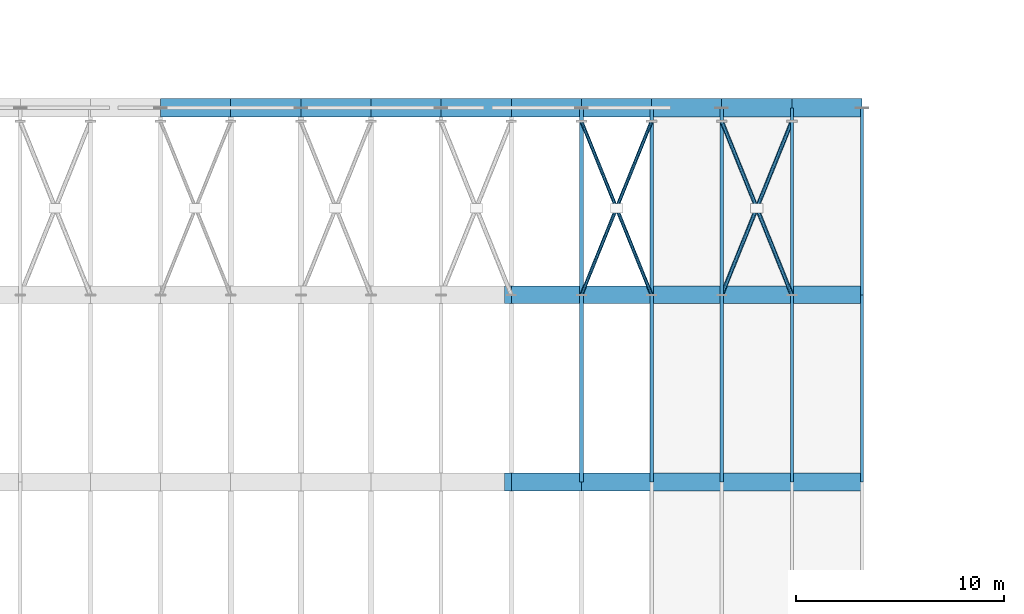
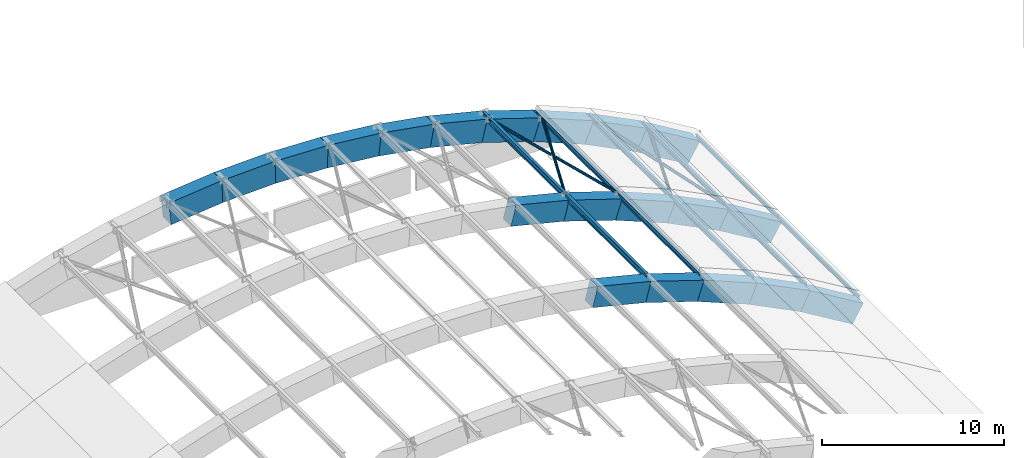
# One storey, part 9 of 30: 30 beams, 6 members.
"""IFC4 building model written with IfcOpenShell, lengths in metres."""

from ifc_helpers import new_model, si_unit, direction, frame, origin, origin_2d, place, context, subcontext, project, spatial, rectangle, hollow_circle, i_section, extrude, material, material_profile, profile_set, type_object, element, save


model = new_model("IFC4")

# Units and contexts
model_context = context("Model", 3, precision=1e-05, world=origin(), true_north=direction((0.0, 1.0)))
body_context = subcontext(model_context, "Body", "Model", "MODEL_VIEW")
ifc_project = project(units=[si_unit("LENGTHUNIT", "METRE"), si_unit("AREAUNIT", "SQUARE_METRE"), si_unit("VOLUMEUNIT", "CUBIC_METRE"), si_unit("PLANEANGLEUNIT", "RADIAN"), si_unit("MASSUNIT", "GRAM", prefix="KILO")], contexts=[model_context])

# Site, building, storey
site_placement = place(None, origin())
site = spatial("IfcSite", under=ifc_project, at=site_placement, CompositionType="ELEMENT")
building_placement = place(site_placement, origin())
building = spatial("IfcBuilding", under=site, at=building_placement, Name="Ornek Quay Market", CompositionType="ELEMENT")
storey_placement = place(building_placement, frame((0.0, 0.0, 12.0)))
storey = spatial("IfcBuildingStorey", under=building, at=storey_placement, Name="L03", CompositionType="ELEMENT", Elevation=12.0)

# Beams
ifc_material_1 = material(Name="Concrete C45/55", Category="concrete")
ifc_material_profile_1 = material_profile(ifc_material_1, rectangle(XDim=0.85009765625, YDim=1.35009765625, at=origin_2d()), Name="RC 850x1350", Category="concrete")
ifc_profile_set_1 = profile_set([ifc_material_profile_1], Name="Concrete C45/55")
beam_type_1 = type_object("IfcBeamType", Name="BM-ARCH-850x1350", PredefinedType="BEAM", material=ifc_profile_set_1)
beam_1_placement = place(storey_placement, frame((99.96240234375, 74.0, 3.388427734375), z_axis=(0.970537665456, 0.0, -0.240949455139), x_axis=(0.0, 1.0, 0.0)))
element("IfcBeam", 1, at=beam_1_placement, inside=storey, type_object=beam_type_1, Name="Arch rib chord J.12", PredefinedType="BEAM", context=body_context, shape_type="SweptSolid", body=[
    extrude(rectangle(XDim=0.85009765625, YDim=1.35009765625, at=origin_2d()), origin(), (0.0, 0.0, 1.0), 3.4775390625),
])
beam_2_placement = place(storey_placement, frame((103.291015625, 74.0, 2.563720703125), z_axis=(0.950807373928, 0.0, -0.309782726575), x_axis=(0.0, 1.0, 0.0)))
element("IfcBeam", 2, at=beam_2_placement, inside=storey, type_object=beam_type_1, Name="Arch rib chord J.13", PredefinedType="BEAM", context=body_context, shape_type="SweptSolid", body=[
    extrude(rectangle(XDim=0.85009765625, YDim=1.35009765625, at=origin_2d()), origin(), (0.0, 0.0, 1.0), 3.549560546875),
])
beam_3_placement = place(storey_placement, frame((106.619384765625, 74.0, 1.481201171875), z_axis=(0.925506425872, 0.0, -0.378731904742), x_axis=(0.0, 1.0, 0.0)))
element("IfcBeam", 3, at=beam_3_placement, inside=storey, type_object=beam_type_1, Name="Arch rib chord J.14", PredefinedType="BEAM", context=body_context, shape_type="SweptSolid", body=[
    extrude(rectangle(XDim=0.85009765625, YDim=1.35009765625, at=origin_2d()), origin(), (0.0, 0.0, 1.0), 3.646728515625),
])
beam_4_placement = place(storey_placement, frame((109.947998046875, 74.0, 0.12109375), z_axis=(0.894245991428, 0.0, -0.447575811248), x_axis=(0.0, 1.0, 0.0)))
element("IfcBeam", 4, at=beam_4_placement, inside=storey, type_object=beam_type_1, Name="Arch rib chord J.15", PredefinedType="BEAM", context=body_context, shape_type="SweptSolid", body=[
    extrude(rectangle(XDim=0.85009765625, YDim=1.35009765625, at=origin_2d()), origin(), (0.0, 0.0, 1.0), 3.774169921875),
])
beam_5_placement = place(storey_placement, frame((113.2763671875, 74.0, -1.54248046875), z_axis=(0.856326530364, 0.0, -0.516434771675), x_axis=(0.0, 1.0, 0.0)))
element("IfcBeam", 5, at=beam_5_placement, inside=storey, type_object=beam_type_1, Name="Arch rib chord J.16", PredefinedType="BEAM", context=body_context, shape_type="SweptSolid", body=[
    extrude(rectangle(XDim=0.85009765625, YDim=1.35009765625, at=origin_2d()), origin(), (0.0, 0.0, 1.0), 3.941162109375),
])
beam_6_placement = place(storey_placement, frame((99.96240234375, 83.0, 3.388427734375), z_axis=(0.970537665456, 0.0, -0.240949455139), x_axis=(0.0, 1.0, 0.0)))
element("IfcBeam", 6, at=beam_6_placement, inside=storey, type_object=beam_type_1, Name="Arch rib chord K.12", PredefinedType="BEAM", context=body_context, shape_type="SweptSolid", body=[
    extrude(rectangle(XDim=0.85009765625, YDim=1.35009765625, at=origin_2d()), origin(), (0.0, 0.0, 1.0), 3.4775390625),
])
beam_7_placement = place(storey_placement, frame((103.291015625, 83.0, 2.563720703125), z_axis=(0.950807373928, 0.0, -0.309782726575), x_axis=(0.0, 1.0, 0.0)))
element("IfcBeam", 7, at=beam_7_placement, inside=storey, type_object=beam_type_1, Name="Arch rib chord K.13", PredefinedType="BEAM", context=body_context, shape_type="SweptSolid", body=[
    extrude(rectangle(XDim=0.85009765625, YDim=1.35009765625, at=origin_2d()), origin(), (0.0, 0.0, 1.0), 3.549560546875),
])
beam_8_placement = place(storey_placement, frame((106.619384765625, 83.0, 1.481201171875), z_axis=(0.925506425872, 0.0, -0.378731904742), x_axis=(0.0, 1.0, 0.0)))
element("IfcBeam", 8, at=beam_8_placement, inside=storey, type_object=beam_type_1, Name="Arch rib chord K.14", PredefinedType="BEAM", context=body_context, shape_type="SweptSolid", body=[
    extrude(rectangle(XDim=0.85009765625, YDim=1.35009765625, at=origin_2d()), origin(), (0.0, 0.0, 1.0), 3.646728515625),
])
beam_9_placement = place(storey_placement, frame((109.947998046875, 83.0, 0.12109375), z_axis=(0.894245991428, 0.0, -0.447575811248), x_axis=(0.0, 1.0, 0.0)))
element("IfcBeam", 9, at=beam_9_placement, inside=storey, type_object=beam_type_1, Name="Arch rib chord K.15", PredefinedType="BEAM", context=body_context, shape_type="SweptSolid", body=[
    extrude(rectangle(XDim=0.85009765625, YDim=1.35009765625, at=origin_2d()), origin(), (0.0, 0.0, 1.0), 3.774169921875),
])
beam_10_placement = place(storey_placement, frame((113.2763671875, 83.0, -1.54248046875), z_axis=(0.856326530364, 0.0, -0.516434771675), x_axis=(0.0, 1.0, 0.0)))
element("IfcBeam", 10, at=beam_10_placement, inside=storey, type_object=beam_type_1, Name="Arch rib chord K.16", PredefinedType="BEAM", context=body_context, shape_type="SweptSolid", body=[
    extrude(rectangle(XDim=0.85009765625, YDim=1.35009765625, at=origin_2d()), origin(), (0.0, 0.0, 1.0), 3.941162109375),
])
ifc_material_profile_2 = material_profile(ifc_material_1, rectangle(XDim=0.89990234375, YDim=1.5, at=origin_2d()), Name="RC 900x1500", Category="concrete")
ifc_profile_set_2 = profile_set([ifc_material_profile_2], Name="Concrete C45/55")
beam_type_2 = type_object("IfcBeamType", Name="BM-ARCH-900x1500", PredefinedType="BEAM", material=ifc_profile_set_2)
beam_11_placement = place(storey_placement, frame((83.327392578125, 92.0, 3.88720703125), z_axis=(0.994648025839, 0.0, 0.10332136611), x_axis=(0.0, 1.0, 0.0)))
element("IfcBeam", 11, at=beam_11_placement, inside=storey, type_object=beam_type_2, Name="Arch rib chord L.7", PredefinedType="BEAM", context=body_context, shape_type="SweptSolid", body=[
    extrude(rectangle(XDim=0.89990234375, YDim=1.5, at=origin_2d()), origin(), (0.0, 0.0, 1.0), 3.39306640625),
])
for number, where, z_axis, x_axis, name in (
    (12, (86.65087890625, 92.0, 4.234130859375), (0.999407715337, 0.0, 0.034412476309), (0.0, 1.0, 0.0), "Arch rib chord L.8"),
    (13, (89.97412109375, 92.0, 4.350341796875), (0.999407715337, 0.0, -0.034412476309), (0.0, 1.0, 0.0), "Arch rib chord L.9"),
):
    element("IfcBeam", number, at=place(storey_placement, frame(where, z_axis=z_axis, x_axis=x_axis)), inside=storey, type_object=beam_type_2, Name=name, PredefinedType="BEAM", context=body_context, shape_type="SweptSolid", body=[
        extrude(rectangle(XDim=0.89990234375, YDim=1.5, at=origin_2d()), origin(), (0.0, 0.0, 1.0), 3.376953125),
    ])
beam_12_placement = place(storey_placement, frame((93.297607421875, 92.0, 4.23779296875), z_axis=(0.994648025839, 0.0, -0.10332136611), x_axis=(0.0, 1.0, 0.0)))
element("IfcBeam", 14, at=beam_12_placement, inside=storey, type_object=beam_type_2, Name="Arch rib chord L.10", PredefinedType="BEAM", context=body_context, shape_type="SweptSolid", body=[
    extrude(rectangle(XDim=0.89990234375, YDim=1.5, at=origin_2d()), origin(), (0.0, 0.0, 1.0), 3.39306640625),
])
beam_13_placement = place(storey_placement, frame((96.620849609375, 92.0, 3.89453125), z_axis=(0.985069160971, 0.0, -0.172159077901), x_axis=(0.0, 1.0, 0.0)))
element("IfcBeam", 15, at=beam_13_placement, inside=storey, type_object=beam_type_2, Name="Arch rib chord L.11", PredefinedType="BEAM", context=body_context, shape_type="SweptSolid", body=[
    extrude(rectangle(XDim=0.89990234375, YDim=1.5, at=origin_2d()), origin(), (0.0, 0.0, 1.0), 3.42626953125),
])
beam_14_placement = place(storey_placement, frame((99.9443359375, 92.0, 3.315673828125), z_axis=(0.970537665456, 0.0, -0.240949455139), x_axis=(0.0, 1.0, 0.0)))
element("IfcBeam", 16, at=beam_14_placement, inside=storey, type_object=beam_type_2, Name="Arch rib chord L.12", PredefinedType="BEAM", context=body_context, shape_type="SweptSolid", body=[
    extrude(rectangle(XDim=0.89990234375, YDim=1.5, at=origin_2d()), origin(), (0.0, 0.0, 1.0), 3.4775390625),
])
beam_15_placement = place(storey_placement, frame((103.267578125, 92.0, 2.492431640625), z_axis=(0.950787113767, 0.0, -0.309844903611), x_axis=(0.0, 1.0, 0.0)))
element("IfcBeam", 17, at=beam_15_placement, inside=storey, type_object=beam_type_2, Name="Arch rib chord L.13", PredefinedType="BEAM", context=body_context, shape_type="SweptSolid", body=[
    extrude(rectangle(XDim=0.89990234375, YDim=1.5, at=origin_2d()), origin(), (0.0, 0.0, 1.0), 3.5498046875),
])
beam_16_placement = place(storey_placement, frame((106.591064453125, 92.0, 1.41162109375), z_axis=(0.925529891662, 0.0, -0.378674556368), x_axis=(0.0, 1.0, 0.0)))
element("IfcBeam", 18, at=beam_16_placement, inside=storey, type_object=beam_type_2, Name="Arch rib chord L.14", PredefinedType="BEAM", context=body_context, shape_type="SweptSolid", body=[
    extrude(rectangle(XDim=0.89990234375, YDim=1.5, at=origin_2d()), origin(), (0.0, 0.0, 1.0), 3.646484375),
])
beam_17_placement = place(storey_placement, frame((109.914306640625, 92.0, 0.05419921875), z_axis=(0.894245991428, 0.0, -0.447575811248), x_axis=(0.0, 1.0, 0.0)))
element("IfcBeam", 19, at=beam_17_placement, inside=storey, type_object=beam_type_2, Name="Arch rib chord L.15", PredefinedType="BEAM", context=body_context, shape_type="SweptSolid", body=[
    extrude(rectangle(XDim=0.89990234375, YDim=1.5, at=origin_2d()), origin(), (0.0, 0.0, 1.0), 3.774169921875),
])
beam_18_placement = place(storey_placement, frame((113.237548828125, 92.0, -1.606689453125), z_axis=(0.856326530364, 0.0, -0.516434771675), x_axis=(0.0, 1.0, 0.0)))
element("IfcBeam", 20, at=beam_18_placement, inside=storey, type_object=beam_type_2, Name="Arch rib chord L.16", PredefinedType="BEAM", context=body_context, shape_type="SweptSolid", body=[
    extrude(rectangle(XDim=0.89990234375, YDim=1.5, at=origin_2d()), origin(), (0.0, 0.0, 1.0), 3.941162109375),
])
ifc_material_2 = material(Name="Steel S355", Category="steel")
ifc_material_profile_3 = material_profile(ifc_material_2, i_section(OverallWidth=0.135009765625, OverallDepth=0.27001953125, WebThickness=0.006591796875, FlangeThickness=0.01025390625, FilletRadius=0.014892578125, at=origin_2d()), Name="IPE 270", Category="steel")
ifc_profile_set_3 = profile_set([ifc_material_profile_3], Name="Steel S355")
beam_type_3 = type_object("IfcBeamType", Name="BM-STL-IPE270", PredefinedType="JOIST", material=ifc_profile_set_3)
for number, where, z_axis, x_axis, name in (
    (21, (117.0, 74.0, -2.8916015625), (0.0, 1.0, 0.0), (-1.0, 0.0, 0.0), "Vault steel purlin VP-102"),
    (22, (117.0, 83.0, -2.8916015625), (0.0, 1.0, 0.0), (-1.0, 0.0, 0.0), "Vault steel purlin VP-119"),
):
    element("IfcBeam", number, at=place(storey_placement, frame(where, z_axis=z_axis, x_axis=x_axis)), inside=storey, type_object=beam_type_3, Name=name, PredefinedType="JOIST", context=body_context, shape_type="SweptSolid", body=[
        extrude(i_section(OverallWidth=0.135009765625, OverallDepth=0.27001953125, WebThickness=0.006591796875, FlangeThickness=0.01025390625, FilletRadius=0.014892578125, at=origin_2d()), origin(), (0.0, 0.0, 1.0), 9.0),
    ])
ifc_material_profile_4 = material_profile(ifc_material_2, i_section(OverallWidth=0.14990234375, OverallDepth=0.300048828125, WebThickness=0.007080078125, FlangeThickness=0.0107421875, FilletRadius=0.014892578125, at=origin_2d()), Name="IPE 300", Category="steel")
ifc_profile_set_4 = profile_set([ifc_material_profile_4], Name="Steel S355")
beam_type_4 = type_object("IfcBeamType", Name="BM-STL-IPE300", PredefinedType="JOIST", material=ifc_profile_set_4)
for number, where, z_axis, x_axis, name in (
    (23, (113.625, 74.0, -0.87109375), (0.0, 1.0, 0.0), (-1.0, 0.0, 0.0), "Vault steel purlin VP-101"),
    (24, (113.625, 83.0, -0.87109375), (0.0, 1.0, 0.0), (-1.0, 0.0, 0.0), "Vault steel purlin VP-118"),
):
    element("IfcBeam", number, at=place(storey_placement, frame(where, z_axis=z_axis, x_axis=x_axis)), inside=storey, type_object=beam_type_4, Name=name, PredefinedType="JOIST", context=body_context, shape_type="SweptSolid", body=[
        extrude(i_section(OverallWidth=0.14990234375, OverallDepth=0.300048828125, WebThickness=0.007080078125, FlangeThickness=0.0107421875, FilletRadius=0.014892578125, at=origin_2d()), origin(), (0.0, 0.0, 1.0), 9.0),
    ])
ifc_material_profile_5 = material_profile(ifc_material_2, i_section(OverallWidth=0.159912109375, OverallDepth=0.330078125, WebThickness=0.007568359375, FlangeThickness=0.011474609375, FilletRadius=0.01806640625, at=origin_2d()), Name="IPE 330", Category="steel")
ifc_profile_set_5 = profile_set([ifc_material_profile_5], Name="Steel S355")
beam_type_5 = type_object("IfcBeamType", Name="BM-STL-IPE330", PredefinedType="JOIST", material=ifc_profile_set_5)
for number, where, z_axis, x_axis, name in (
    (25, (110.25, 74.0, 0.8173828125), (0.0, 1.0, 0.0), (-1.0, 0.0, 0.0), "Vault steel purlin VP-100"),
    (26, (110.25, 83.0, 0.8173828125), (0.0, 1.0, 0.0), (-1.0, 0.0, 0.0), "Vault steel purlin VP-117"),
):
    element("IfcBeam", number, at=place(storey_placement, frame(where, z_axis=z_axis, x_axis=x_axis)), inside=storey, type_object=beam_type_5, Name=name, PredefinedType="JOIST", context=body_context, shape_type="SweptSolid", body=[
        extrude(i_section(OverallWidth=0.159912109375, OverallDepth=0.330078125, WebThickness=0.007568359375, FlangeThickness=0.011474609375, FilletRadius=0.01806640625, at=origin_2d()), origin(), (0.0, 0.0, 1.0), 9.0),
    ])
ifc_material_profile_6 = material_profile(ifc_material_2, i_section(OverallWidth=0.169921875, OverallDepth=0.360107421875, WebThickness=0.008056640625, FlangeThickness=0.0126953125, FilletRadius=0.01806640625, at=origin_2d()), Name="IPE 360", Category="steel")
ifc_profile_set_6 = profile_set([ifc_material_profile_6], Name="Steel S355")
beam_type_6 = type_object("IfcBeamType", Name="BM-STL-IPE360", PredefinedType="BEAM", material=ifc_profile_set_6)
for number, where, z_axis, x_axis, name in (
    (27, (106.875, 74.0, 2.194580078125), (0.0, 1.0, 0.0), (-1.0, 0.0, 0.0), "Vault steel purlin VP-099"),
    (28, (106.875, 83.0, 2.194580078125), (0.0, 1.0, 0.0), (-1.0, 0.0, 0.0), "Vault steel purlin VP-116"),
):
    element("IfcBeam", number, at=place(storey_placement, frame(where, z_axis=z_axis, x_axis=x_axis)), inside=storey, type_object=beam_type_6, Name=name, PredefinedType="BEAM", context=body_context, shape_type="SweptSolid", body=[
        extrude(i_section(OverallWidth=0.169921875, OverallDepth=0.360107421875, WebThickness=0.008056640625, FlangeThickness=0.0126953125, FilletRadius=0.01806640625, at=origin_2d()), origin(), (0.0, 0.0, 1.0), 9.0),
    ])
ifc_material_profile_7 = material_profile(ifc_material_2, i_section(OverallWidth=0.179931640625, OverallDepth=0.39990234375, WebThickness=0.008544921875, FlangeThickness=0.013427734375, FilletRadius=0.02099609375, at=origin_2d()), Name="IPE 400", Category="steel")
ifc_profile_set_7 = profile_set([ifc_material_profile_7], Name="Steel S355")
beam_type_7 = type_object("IfcBeamType", Name="BM-STL-IPE400", PredefinedType="BEAM", material=ifc_profile_set_7)
for number, where, z_axis, x_axis, name in (
    (29, (103.5, 74.0, 3.28271484375), (0.0, 1.0, 0.0), (-1.0, 0.0, 0.0), "Vault steel purlin VP-098"),
    (30, (103.5, 83.0, 3.28271484375), (0.0, 1.0, 0.0), (-1.0, 0.0, 0.0), "Vault steel purlin VP-115"),
):
    element("IfcBeam", number, at=place(storey_placement, frame(where, z_axis=z_axis, x_axis=x_axis)), inside=storey, type_object=beam_type_7, Name=name, PredefinedType="BEAM", context=body_context, shape_type="SweptSolid", body=[
        extrude(i_section(OverallWidth=0.179931640625, OverallDepth=0.39990234375, WebThickness=0.008544921875, FlangeThickness=0.013427734375, FilletRadius=0.02099609375, at=origin_2d()), origin(), (0.0, 0.0, 1.0), 9.0),
    ])

# Members
ifc_material_profile_8 = material_profile(ifc_material_2, hollow_circle(Radius=0.084228515625, WallThickness=0.008056640625, at=origin_2d()), Name="CHS 168.3x8", Category="steel")
ifc_profile_set_8 = profile_set([ifc_material_profile_8], Name="Steel S355")
member_type_1 = type_object("IfcMemberType", Name="MBR-BRC-CHS168", PredefinedType="BRACE", material=ifc_profile_set_8)
member_1_placement = place(storey_placement, frame((103.5, 83.0, 3.32568359375), z_axis=(0.37197127333, 0.920295246705, -0.121218937092), x_axis=(-0.927132108754, 0.374734643337, 0.0)))
element("IfcMember", 31, at=member_1_placement, inside=storey, type_object=member_type_1, Name="Vault wind brace VB-067", PredefinedType="BRACE", context=body_context, shape_type="SweptSolid", body=[
    extrude(hollow_circle(Radius=0.084228515625, WallThickness=0.008056640625, at=origin_2d()), origin(), (0.0, 0.0, 1.0), 9.0732421875),
])
for number, where, z_axis, x_axis, name in (
    (32, (106.875, 83.0, 2.225830078125), (-0.371990805381, 0.920287149959, 0.121220469943), (-0.927124126697, -0.374754391163, 0.0), "Vault split wind brace VB-068"),
    (33, (105.135498046875, 87.3037109375, 2.792724609375), (-0.371971796454, 0.920295649264, 0.121214275513), (-0.927131982606, -0.374734955441, 0.0), "Vault split wind brace VB-069"),
):
    element("IfcMember", number, at=place(storey_placement, frame(where, z_axis=z_axis, x_axis=x_axis)), inside=storey, type_object=member_type_1, Name=name, PredefinedType="BRACE", context=body_context, shape_type="SweptSolid", body=[
        extrude(hollow_circle(Radius=0.084228515625, WallThickness=0.008056640625, at=origin_2d()), origin(), (0.0, 0.0, 1.0), 4.396728515625),
    ])
ifc_material_profile_9 = material_profile(ifc_material_2, hollow_circle(Radius=0.096923828125, WallThickness=0.010009765625, at=origin_2d()), Name="CHS 193.7x10", Category="steel")
ifc_profile_set_9 = profile_set([ifc_material_profile_9], Name="Steel S355")
member_type_2 = type_object("IfcMemberType", Name="MBR-BRC-CHS193", PredefinedType="BRACE", material=ifc_profile_set_9)
member_2_placement = place(storey_placement, frame((110.25, 83.0, 0.8447265625), z_axis=(0.368312450238, 0.911242941481, -0.184342725926), x_axis=(-0.927132108754, 0.374734643337, 0.0)))
element("IfcMember", 34, at=member_2_placement, inside=storey, type_object=member_type_2, Name="Vault wind brace VB-070", PredefinedType="BRACE", context=body_context, shape_type="SweptSolid", body=[
    extrude(hollow_circle(Radius=0.096923828125, WallThickness=0.010009765625, at=origin_2d()), origin(), (0.0, 0.0, 1.0), 9.163330078125),
])
member_3_placement = place(storey_placement, frame((113.625, 83.0, -0.844482421875), z_axis=(-0.368329840091, 0.911232963591, 0.184357302442), x_axis=(-0.927124535877, -0.37475337887, 0.0)))
element("IfcMember", 35, at=member_3_placement, inside=storey, type_object=member_type_2, Name="Vault split wind brace VB-071", PredefinedType="BRACE", context=body_context, shape_type="SweptSolid", body=[
    extrude(hollow_circle(Radius=0.096923828125, WallThickness=0.010009765625, at=origin_2d()), origin(), (0.0, 0.0, 1.0), 4.441650390625),
])
member_4_placement = place(storey_placement, frame((111.885986328125, 87.302490234375, 0.02587890625), z_axis=(-0.368311392312, 0.911242288187, 0.184348068917), x_axis=(-0.927132389378, -0.374733949045, 0.0)))
element("IfcMember", 36, at=member_4_placement, inside=storey, type_object=member_type_2, Name="Vault split wind brace VB-072", PredefinedType="BRACE", context=body_context, shape_type="SweptSolid", body=[
    extrude(hollow_circle(Radius=0.096923828125, WallThickness=0.010009765625, at=origin_2d()), origin(), (0.0, 0.0, 1.0), 4.44189453125),
])

save(model, "model.ifc")
